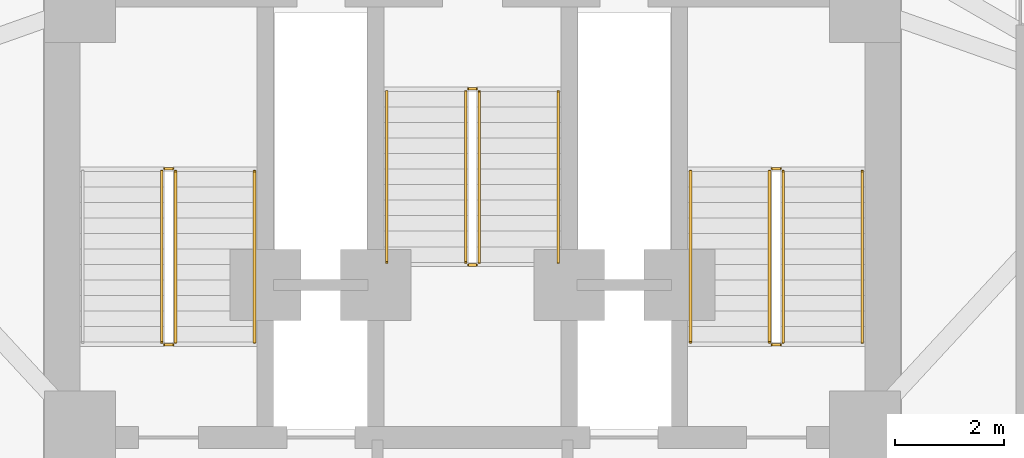
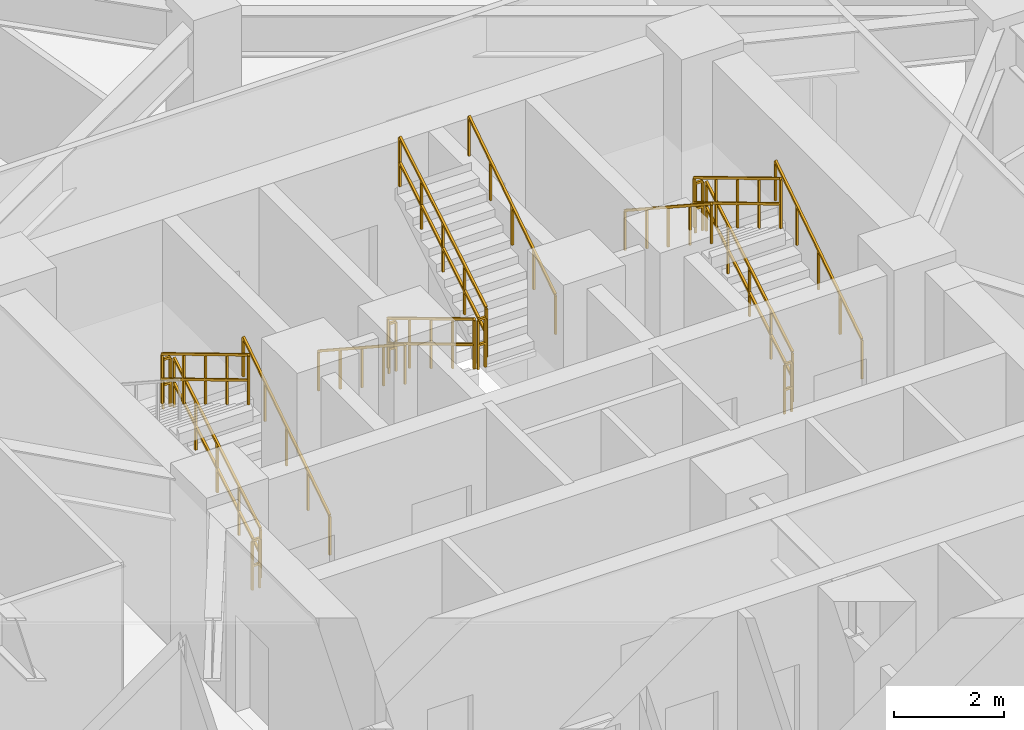
# One storey, part 10 of 10: 17 railings.
"""IFC4 building model written with IfcOpenShell, lengths in metres."""

from ifc_helpers import new_model, si_unit, direction, frame, origin, origin_2d, place, context, subcontext, project, spatial, rectangle, extrude, material, type_object, element, save


model = new_model("IFC4")

# Units and contexts
model_context = context("Model", 3, precision=1e-05, world=origin(), true_north=direction((0.0, 1.0)))
body_context = subcontext(model_context, "Body", "Model", "MODEL_VIEW")
ifc_project = project(units=[si_unit("LENGTHUNIT", "METRE"), si_unit("AREAUNIT", "SQUARE_METRE"), si_unit("VOLUMEUNIT", "CUBIC_METRE"), si_unit("PLANEANGLEUNIT", "RADIAN"), si_unit("MASSUNIT", "GRAM", prefix="KILO")], contexts=[model_context])

# Site, building, storey
site_placement = place(None, origin())
site = spatial("IfcSite", under=ifc_project, at=site_placement, CompositionType="ELEMENT")
building_placement = place(site_placement, origin())
building = spatial("IfcBuilding", under=site, at=building_placement, Name="Apsidion Concourse Tower", CompositionType="ELEMENT")
storey_placement = place(building_placement, frame((0.0, 0.0, 144.5)))
storey = spatial("IfcBuildingStorey", under=building, at=storey_placement, Name="L33", CompositionType="ELEMENT", Elevation=144.5)

# Railings
ifc_material = material(Name="Brushed stainless steel 316", Category="steel")
railing_type_1 = type_object("IfcRailingType", Name="RL-GUARD-1100", PredefinedType="GUARDRAIL", material=ifc_material)
railing_1_placement = place(storey_placement, frame((-5.449951171875, 3.0, 0.1708984375)))
element("IfcRailing", 1, at=railing_1_placement, inside=storey, type_object=railing_type_1, Name="L33 ST1 stair guard 1", PredefinedType="GUARDRAIL", context=body_context, shape_type="SweptSolid", body=[
    extrude(rectangle(XDim=0.048095703125, YDim=0.048095703125, at=origin_2d()), frame((0.0, 0.0, 1.09619140625), z_axis=(0.0, 0.857716804754, 0.514122439544), x_axis=(-1.0, 0.0, 0.0)), (0.0, 0.0, 1.0), 3.655029296875),
    extrude(rectangle(XDim=0.048095703125, YDim=0.048095703125, at=origin_2d()), frame((0.0, 0.0, 0.5361328125), z_axis=(0.0, 0.857716804754, 0.514122439544), x_axis=(-1.0, 0.0, 0.0)), (0.0, 0.0, 1.0), 3.655029296875),
    extrude(rectangle(XDim=0.0419921875, YDim=0.0419921875, at=origin_2d()), origin(), (0.0, 0.0, 1.0), 1.072021484375),
    extrude(rectangle(XDim=0.0419921875, YDim=0.0419921875, at=origin_2d()), frame((0.0, 0.78369140625, 0.4697265625)), (0.0, 0.0, 1.0), 1.072021484375),
    extrude(rectangle(XDim=0.0419921875, YDim=0.0419921875, at=origin_2d()), frame((0.0, 1.5673828125, 0.939453125)), (0.0, 0.0, 1.0), 1.072021484375),
    extrude(rectangle(XDim=0.0419921875, YDim=0.0419921875, at=origin_2d()), frame((0.0, 2.351318359375, 1.409423828125)), (0.0, 0.0, 1.0), 1.072021484375),
    extrude(rectangle(XDim=0.0419921875, YDim=0.0419921875, at=origin_2d()), frame((0.0, 3.135009765625, 1.879150390625)), (0.0, 0.0, 1.0), 1.072021484375),
])
railing_2_placement = place(storey_placement, frame((-5.5, 6.18505859375, 2.050048828125)))
element("IfcRailing", 2, at=railing_2_placement, inside=storey, type_object=railing_type_1, Name="L33 ST1 stair guard 2", PredefinedType="GUARDRAIL", context=body_context, shape_type="SweptSolid", body=[
    extrude(rectangle(XDim=0.048095703125, YDim=0.048095703125, at=origin_2d()), frame((0.0, 0.0, 1.09619140625), z_axis=(-1.0, 0.0, 0.0), x_axis=(0.0, -1.0, 0.0)), (0.0, 0.0, 1.0), 0.14990234375),
    extrude(rectangle(XDim=0.048095703125, YDim=0.048095703125, at=origin_2d()), frame((0.0, 0.0, 0.5361328125), z_axis=(-1.0, 0.0, 0.0), x_axis=(0.0, -1.0, 0.0)), (0.0, 0.0, 1.0), 0.14990234375),
    extrude(rectangle(XDim=0.0419921875, YDim=0.0419921875, at=origin_2d()), origin(), (0.0, 0.0, 1.0), 1.072021484375),
    extrude(rectangle(XDim=0.0419921875, YDim=0.0419921875, at=origin_2d()), frame((-0.14990234375, 0.0, 0.0)), (0.0, 0.0, 1.0), 1.072021484375),
])
railing_3_placement = place(storey_placement, frame((-5.699951171875, 6.135009765625, 2.220947265625)))
element("IfcRailing", 3, at=railing_3_placement, inside=storey, type_object=railing_type_1, Name="L33 ST1 stair guard 3", PredefinedType="GUARDRAIL", context=body_context, shape_type="SweptSolid", body=[
    extrude(rectangle(XDim=0.048095703125, YDim=0.048095703125, at=origin_2d()), frame((0.0, 0.0, 1.09619140625), z_axis=(0.0, -0.857716804754, 0.514122439544), x_axis=(1.0, 0.0, 0.0)), (0.0, 0.0, 1.0), 3.655029296875),
    extrude(rectangle(XDim=0.048095703125, YDim=0.048095703125, at=origin_2d()), frame((0.0, 0.0, 0.5361328125), z_axis=(0.0, -0.857716804754, 0.514122439544), x_axis=(1.0, 0.0, 0.0)), (0.0, 0.0, 1.0), 3.655029296875),
    extrude(rectangle(XDim=0.0419921875, YDim=0.0419921875, at=origin_2d()), origin(), (0.0, 0.0, 1.0), 1.072021484375),
    extrude(rectangle(XDim=0.0419921875, YDim=0.0419921875, at=origin_2d()), frame((0.0, -0.78369140625, 0.4697265625)), (0.0, 0.0, 1.0), 1.072021484375),
    extrude(rectangle(XDim=0.0419921875, YDim=0.0419921875, at=origin_2d()), frame((0.0, -1.5673828125, 0.939453125)), (0.0, 0.0, 1.0), 1.072021484375),
    extrude(rectangle(XDim=0.0419921875, YDim=0.0419921875, at=origin_2d()), frame((0.0, -2.351318359375, 1.409423828125)), (0.0, 0.0, 1.0), 1.072021484375),
    extrude(rectangle(XDim=0.0419921875, YDim=0.0419921875, at=origin_2d()), frame((0.0, -3.135009765625, 1.879150390625)), (0.0, 0.0, 1.0), 1.072021484375),
])
railing_4_placement = place(storey_placement, frame((-5.5, 2.949951171875, 0.0)))
element("IfcRailing", 4, at=railing_4_placement, inside=storey, type_object=railing_type_1, Name="L33 ST1 stair guard 4", PredefinedType="GUARDRAIL", context=body_context, shape_type="SweptSolid", body=[
    extrude(rectangle(XDim=0.048095703125, YDim=0.048095703125, at=origin_2d()), frame((0.0, 0.0, 1.09619140625), z_axis=(-1.0, 0.0, 0.0), x_axis=(0.0, -1.0, 0.0)), (0.0, 0.0, 1.0), 0.14990234375),
    extrude(rectangle(XDim=0.048095703125, YDim=0.048095703125, at=origin_2d()), frame((0.0, 0.0, 0.5361328125), z_axis=(-1.0, 0.0, 0.0), x_axis=(0.0, -1.0, 0.0)), (0.0, 0.0, 1.0), 0.14990234375),
    extrude(rectangle(XDim=0.0419921875, YDim=0.0419921875, at=origin_2d()), origin(), (0.0, 0.0, 1.0), 1.072021484375),
    extrude(rectangle(XDim=0.0419921875, YDim=0.0419921875, at=origin_2d()), frame((-0.14990234375, 0.0, 0.0)), (0.0, 0.0, 1.0), 1.072021484375),
])
railing_5_placement = place(storey_placement, frame((5.699951171875, 3.0, 0.1708984375)))
element("IfcRailing", 5, at=railing_5_placement, inside=storey, type_object=railing_type_1, Name="L33 ST2 stair guard 1", PredefinedType="GUARDRAIL", context=body_context, shape_type="SweptSolid", body=[
    extrude(rectangle(XDim=0.048095703125, YDim=0.048095703125, at=origin_2d()), frame((0.0, 0.0, 1.09619140625), z_axis=(0.0, 0.857716804754, 0.514122439544), x_axis=(-1.0, 0.0, 0.0)), (0.0, 0.0, 1.0), 3.655029296875),
    extrude(rectangle(XDim=0.048095703125, YDim=0.048095703125, at=origin_2d()), frame((0.0, 0.0, 0.5361328125), z_axis=(0.0, 0.857716804754, 0.514122439544), x_axis=(-1.0, 0.0, 0.0)), (0.0, 0.0, 1.0), 3.655029296875),
    extrude(rectangle(XDim=0.0419921875, YDim=0.0419921875, at=origin_2d()), origin(), (0.0, 0.0, 1.0), 1.072021484375),
    extrude(rectangle(XDim=0.0419921875, YDim=0.0419921875, at=origin_2d()), frame((0.0, 0.78369140625, 0.4697265625)), (0.0, 0.0, 1.0), 1.072021484375),
    extrude(rectangle(XDim=0.0419921875, YDim=0.0419921875, at=origin_2d()), frame((0.0, 1.5673828125, 0.939453125)), (0.0, 0.0, 1.0), 1.072021484375),
    extrude(rectangle(XDim=0.0419921875, YDim=0.0419921875, at=origin_2d()), frame((0.0, 2.351318359375, 1.409423828125)), (0.0, 0.0, 1.0), 1.072021484375),
    extrude(rectangle(XDim=0.0419921875, YDim=0.0419921875, at=origin_2d()), frame((0.0, 3.135009765625, 1.879150390625)), (0.0, 0.0, 1.0), 1.072021484375),
])
railing_6_placement = place(storey_placement, frame((5.64990234375, 6.18505859375, 2.050048828125)))
element("IfcRailing", 6, at=railing_6_placement, inside=storey, type_object=railing_type_1, Name="L33 ST2 stair guard 2", PredefinedType="GUARDRAIL", context=body_context, shape_type="SweptSolid", body=[
    extrude(rectangle(XDim=0.048095703125, YDim=0.048095703125, at=origin_2d()), frame((0.0, 0.0, 1.09619140625), z_axis=(-1.0, 0.0, 0.0), x_axis=(0.0, -1.0, 0.0)), (0.0, 0.0, 1.0), 0.14990234375),
    extrude(rectangle(XDim=0.048095703125, YDim=0.048095703125, at=origin_2d()), frame((0.0, 0.0, 0.5361328125), z_axis=(-1.0, 0.0, 0.0), x_axis=(0.0, -1.0, 0.0)), (0.0, 0.0, 1.0), 0.14990234375),
    extrude(rectangle(XDim=0.0419921875, YDim=0.0419921875, at=origin_2d()), origin(), (0.0, 0.0, 1.0), 1.072021484375),
    extrude(rectangle(XDim=0.0419921875, YDim=0.0419921875, at=origin_2d()), frame((-0.14990234375, 0.0, 0.0)), (0.0, 0.0, 1.0), 1.072021484375),
])
railing_7_placement = place(storey_placement, frame((5.449951171875, 6.135009765625, 2.220947265625)))
element("IfcRailing", 7, at=railing_7_placement, inside=storey, type_object=railing_type_1, Name="L33 ST2 stair guard 3", PredefinedType="GUARDRAIL", context=body_context, shape_type="SweptSolid", body=[
    extrude(rectangle(XDim=0.048095703125, YDim=0.048095703125, at=origin_2d()), frame((0.0, 0.0, 1.09619140625), z_axis=(0.0, -0.857716804754, 0.514122439544), x_axis=(1.0, 0.0, 0.0)), (0.0, 0.0, 1.0), 3.655029296875),
    extrude(rectangle(XDim=0.048095703125, YDim=0.048095703125, at=origin_2d()), frame((0.0, 0.0, 0.5361328125), z_axis=(0.0, -0.857716804754, 0.514122439544), x_axis=(1.0, 0.0, 0.0)), (0.0, 0.0, 1.0), 3.655029296875),
    extrude(rectangle(XDim=0.0419921875, YDim=0.0419921875, at=origin_2d()), origin(), (0.0, 0.0, 1.0), 1.072021484375),
    extrude(rectangle(XDim=0.0419921875, YDim=0.0419921875, at=origin_2d()), frame((0.0, -0.78369140625, 0.4697265625)), (0.0, 0.0, 1.0), 1.072021484375),
    extrude(rectangle(XDim=0.0419921875, YDim=0.0419921875, at=origin_2d()), frame((0.0, -1.5673828125, 0.939453125)), (0.0, 0.0, 1.0), 1.072021484375),
    extrude(rectangle(XDim=0.0419921875, YDim=0.0419921875, at=origin_2d()), frame((0.0, -2.351318359375, 1.409423828125)), (0.0, 0.0, 1.0), 1.072021484375),
    extrude(rectangle(XDim=0.0419921875, YDim=0.0419921875, at=origin_2d()), frame((0.0, -3.135009765625, 1.879150390625)), (0.0, 0.0, 1.0), 1.072021484375),
])
railing_8_placement = place(storey_placement, frame((5.64990234375, 2.949951171875, 0.0)))
element("IfcRailing", 8, at=railing_8_placement, inside=storey, type_object=railing_type_1, Name="L33 ST2 stair guard 4", PredefinedType="GUARDRAIL", context=body_context, shape_type="SweptSolid", body=[
    extrude(rectangle(XDim=0.048095703125, YDim=0.048095703125, at=origin_2d()), frame((0.0, 0.0, 1.09619140625), z_axis=(-1.0, 0.0, 0.0), x_axis=(0.0, -1.0, 0.0)), (0.0, 0.0, 1.0), 0.14990234375),
    extrude(rectangle(XDim=0.048095703125, YDim=0.048095703125, at=origin_2d()), frame((0.0, 0.0, 0.5361328125), z_axis=(-1.0, 0.0, 0.0), x_axis=(0.0, -1.0, 0.0)), (0.0, 0.0, 1.0), 0.14990234375),
    extrude(rectangle(XDim=0.0419921875, YDim=0.0419921875, at=origin_2d()), origin(), (0.0, 0.0, 1.0), 1.072021484375),
    extrude(rectangle(XDim=0.0419921875, YDim=0.0419921875, at=origin_2d()), frame((-0.14990234375, 0.0, 0.0)), (0.0, 0.0, 1.0), 1.072021484375),
])
railing_9_placement = place(storey_placement, frame((-0.125, 7.60009765625, 0.1708984375)))
element("IfcRailing", 9, at=railing_9_placement, inside=storey, type_object=railing_type_1, Name="L33 ST3 stair guard 1", PredefinedType="GUARDRAIL", context=body_context, shape_type="SweptSolid", body=[
    extrude(rectangle(XDim=0.048095703125, YDim=0.048095703125, at=origin_2d()), frame((0.0, 0.0, 1.09619140625), z_axis=(0.0, -0.857716804754, 0.514122439544), x_axis=(1.0, 0.0, 0.0)), (0.0, 0.0, 1.0), 3.655029296875),
    extrude(rectangle(XDim=0.048095703125, YDim=0.048095703125, at=origin_2d()), frame((0.0, 0.0, 0.5361328125), z_axis=(0.0, -0.857716804754, 0.514122439544), x_axis=(1.0, 0.0, 0.0)), (0.0, 0.0, 1.0), 3.655029296875),
    extrude(rectangle(XDim=0.0419921875, YDim=0.0419921875, at=origin_2d()), origin(), (0.0, 0.0, 1.0), 1.072021484375),
    extrude(rectangle(XDim=0.0419921875, YDim=0.0419921875, at=origin_2d()), frame((0.0, -0.78369140625, 0.4697265625)), (0.0, 0.0, 1.0), 1.072021484375),
    extrude(rectangle(XDim=0.0419921875, YDim=0.0419921875, at=origin_2d()), frame((0.0, -1.5673828125, 0.939453125)), (0.0, 0.0, 1.0), 1.072021484375),
    extrude(rectangle(XDim=0.0419921875, YDim=0.0419921875, at=origin_2d()), frame((0.0, -2.351318359375, 1.409423828125)), (0.0, 0.0, 1.0), 1.072021484375),
    extrude(rectangle(XDim=0.0419921875, YDim=0.0419921875, at=origin_2d()), frame((0.0, -3.135009765625, 1.879150390625)), (0.0, 0.0, 1.0), 1.072021484375),
])
railing_10_placement = place(storey_placement, frame((-0.074951171875, 4.4150390625, 2.050048828125)))
element("IfcRailing", 10, at=railing_10_placement, inside=storey, type_object=railing_type_1, Name="L33 ST3 stair guard 2", PredefinedType="GUARDRAIL", context=body_context, shape_type="SweptSolid", body=[
    extrude(rectangle(XDim=0.048095703125, YDim=0.048095703125, at=origin_2d()), frame((0.0, 0.0, 1.09619140625), z_axis=(1.0, 0.0, 0.0), x_axis=(0.0, 1.0, 0.0)), (0.0, 0.0, 1.0), 0.14990234375),
    extrude(rectangle(XDim=0.048095703125, YDim=0.048095703125, at=origin_2d()), frame((0.0, 0.0, 0.5361328125), z_axis=(1.0, 0.0, 0.0), x_axis=(0.0, 1.0, 0.0)), (0.0, 0.0, 1.0), 0.14990234375),
    extrude(rectangle(XDim=0.0419921875, YDim=0.0419921875, at=origin_2d()), origin(), (0.0, 0.0, 1.0), 1.072021484375),
    extrude(rectangle(XDim=0.0419921875, YDim=0.0419921875, at=origin_2d()), frame((0.14990234375, 0.0, 0.0)), (0.0, 0.0, 1.0), 1.072021484375),
])
railing_11_placement = place(storey_placement, frame((0.125, 4.465087890625, 2.220947265625)))
element("IfcRailing", 11, at=railing_11_placement, inside=storey, type_object=railing_type_1, Name="L33 ST3 stair guard 3", PredefinedType="GUARDRAIL", context=body_context, shape_type="SweptSolid", body=[
    extrude(rectangle(XDim=0.048095703125, YDim=0.048095703125, at=origin_2d()), frame((0.0, 0.0, 1.09619140625), z_axis=(0.0, 0.857716804754, 0.514122439544), x_axis=(-1.0, 0.0, 0.0)), (0.0, 0.0, 1.0), 3.655029296875),
    extrude(rectangle(XDim=0.048095703125, YDim=0.048095703125, at=origin_2d()), frame((0.0, 0.0, 0.5361328125), z_axis=(0.0, 0.857716804754, 0.514122439544), x_axis=(-1.0, 0.0, 0.0)), (0.0, 0.0, 1.0), 3.655029296875),
    extrude(rectangle(XDim=0.0419921875, YDim=0.0419921875, at=origin_2d()), origin(), (0.0, 0.0, 1.0), 1.072021484375),
    extrude(rectangle(XDim=0.0419921875, YDim=0.0419921875, at=origin_2d()), frame((0.0, 0.78369140625, 0.4697265625)), (0.0, 0.0, 1.0), 1.072021484375),
    extrude(rectangle(XDim=0.0419921875, YDim=0.0419921875, at=origin_2d()), frame((0.0, 1.5673828125, 0.939453125)), (0.0, 0.0, 1.0), 1.072021484375),
    extrude(rectangle(XDim=0.0419921875, YDim=0.0419921875, at=origin_2d()), frame((0.0, 2.351318359375, 1.409423828125)), (0.0, 0.0, 1.0), 1.072021484375),
    extrude(rectangle(XDim=0.0419921875, YDim=0.0419921875, at=origin_2d()), frame((0.0, 3.135009765625, 1.879150390625)), (0.0, 0.0, 1.0), 1.072021484375),
])
railing_12_placement = place(storey_placement, frame((-0.074951171875, 7.64990234375, 0.0)))
element("IfcRailing", 12, at=railing_12_placement, inside=storey, type_object=railing_type_1, Name="L33 ST3 stair guard 4", PredefinedType="GUARDRAIL", context=body_context, shape_type="SweptSolid", body=[
    extrude(rectangle(XDim=0.048095703125, YDim=0.048095703125, at=origin_2d()), frame((0.0, 0.0, 1.09619140625), z_axis=(1.0, 0.0, 0.0), x_axis=(0.0, 1.0, 0.0)), (0.0, 0.0, 1.0), 0.14990234375),
    extrude(rectangle(XDim=0.048095703125, YDim=0.048095703125, at=origin_2d()), frame((0.0, 0.0, 0.5361328125), z_axis=(1.0, 0.0, 0.0), x_axis=(0.0, 1.0, 0.0)), (0.0, 0.0, 1.0), 0.14990234375),
    extrude(rectangle(XDim=0.0419921875, YDim=0.0419921875, at=origin_2d()), origin(), (0.0, 0.0, 1.0), 1.072021484375),
    extrude(rectangle(XDim=0.0419921875, YDim=0.0419921875, at=origin_2d()), frame((0.14990234375, 0.0, 0.0)), (0.0, 0.0, 1.0), 1.072021484375),
])
railing_type_2 = type_object("IfcRailingType", Name="RL-HAND-900", PredefinedType="HANDRAIL", material=ifc_material)
for number, where, name in (
    (13, (-4.0, 3.0, 0.1708984375), "L33 ST1 stair handrail 1"),
    (14, (7.14990234375, 3.0, 0.1708984375), "L33 ST2 stair handrail 1"),
):
    element("IfcRailing", number, at=place(storey_placement, frame(where)), inside=storey, type_object=railing_type_2, Name=name, PredefinedType="HANDRAIL", context=body_context, shape_type="SweptSolid", body=[
        extrude(rectangle(XDim=0.048095703125, YDim=0.048095703125, at=origin_2d()), frame((0.0, 0.0, 0.8759765625), z_axis=(0.0, 0.836940907821, 0.547293263996), x_axis=(-1.0, 0.0, 0.0)), (0.0, 0.0, 1.0), 3.745849609375),
        extrude(rectangle(XDim=0.0419921875, YDim=0.0419921875, at=origin_2d()), origin(), (0.0, 0.0, 1.0), 0.851806640625),
        extrude(rectangle(XDim=0.0419921875, YDim=0.0419921875, at=origin_2d()), frame((0.0, 0.78369140625, 0.512451171875)), (0.0, 0.0, 1.0), 0.851806640625),
        extrude(rectangle(XDim=0.0419921875, YDim=0.0419921875, at=origin_2d()), frame((0.0, 1.5673828125, 1.02490234375)), (0.0, 0.0, 1.0), 0.851806640625),
        extrude(rectangle(XDim=0.0419921875, YDim=0.0419921875, at=origin_2d()), frame((0.0, 2.351318359375, 1.53759765625)), (0.0, 0.0, 1.0), 0.851806640625),
        extrude(rectangle(XDim=0.0419921875, YDim=0.0419921875, at=origin_2d()), frame((0.0, 3.135009765625, 2.050048828125)), (0.0, 0.0, 1.0), 0.851806640625),
    ])
railing_13_placement = place(storey_placement, frame((4.0, 6.135009765625, 2.220947265625)))
element("IfcRailing", 15, at=railing_13_placement, inside=storey, type_object=railing_type_2, Name="L33 ST2 stair handrail 2", PredefinedType="HANDRAIL", context=body_context, shape_type="SweptSolid", body=[
    extrude(rectangle(XDim=0.048095703125, YDim=0.048095703125, at=origin_2d()), frame((0.0, 0.0, 0.8759765625), z_axis=(0.0, -0.836970762213, 0.547247606848), x_axis=(1.0, 0.0, 0.0)), (0.0, 0.0, 1.0), 3.74560546875),
    extrude(rectangle(XDim=0.0419921875, YDim=0.0419921875, at=origin_2d()), origin(), (0.0, 0.0, 1.0), 0.851806640625),
    extrude(rectangle(XDim=0.0419921875, YDim=0.0419921875, at=origin_2d()), frame((0.0, -0.78369140625, 0.512451171875)), (0.0, 0.0, 1.0), 0.851806640625),
    extrude(rectangle(XDim=0.0419921875, YDim=0.0419921875, at=origin_2d()), frame((0.0, -1.5673828125, 1.02490234375)), (0.0, 0.0, 1.0), 0.851806640625),
    extrude(rectangle(XDim=0.0419921875, YDim=0.0419921875, at=origin_2d()), frame((0.0, -2.351318359375, 1.537353515625)), (0.0, 0.0, 1.0), 0.851806640625),
    extrude(rectangle(XDim=0.0419921875, YDim=0.0419921875, at=origin_2d()), frame((0.0, -3.135009765625, 2.0498046875)), (0.0, 0.0, 1.0), 0.851806640625),
])
railing_14_placement = place(storey_placement, frame((-1.574951171875, 7.60009765625, 0.1708984375)))
element("IfcRailing", 16, at=railing_14_placement, inside=storey, type_object=railing_type_2, Name="L33 ST3 stair handrail 1", PredefinedType="HANDRAIL", context=body_context, shape_type="SweptSolid", body=[
    extrude(rectangle(XDim=0.048095703125, YDim=0.048095703125, at=origin_2d()), frame((0.0, 0.0, 0.8759765625), z_axis=(0.0, -0.836940907821, 0.547293263996), x_axis=(1.0, 0.0, 0.0)), (0.0, 0.0, 1.0), 3.745849609375),
    extrude(rectangle(XDim=0.0419921875, YDim=0.0419921875, at=origin_2d()), origin(), (0.0, 0.0, 1.0), 0.851806640625),
    extrude(rectangle(XDim=0.0419921875, YDim=0.0419921875, at=origin_2d()), frame((0.0, -0.78369140625, 0.512451171875)), (0.0, 0.0, 1.0), 0.851806640625),
    extrude(rectangle(XDim=0.0419921875, YDim=0.0419921875, at=origin_2d()), frame((0.0, -1.5673828125, 1.02490234375)), (0.0, 0.0, 1.0), 0.851806640625),
    extrude(rectangle(XDim=0.0419921875, YDim=0.0419921875, at=origin_2d()), frame((0.0, -2.351318359375, 1.53759765625)), (0.0, 0.0, 1.0), 0.851806640625),
    extrude(rectangle(XDim=0.0419921875, YDim=0.0419921875, at=origin_2d()), frame((0.0, -3.135009765625, 2.050048828125)), (0.0, 0.0, 1.0), 0.851806640625),
])
railing_15_placement = place(storey_placement, frame((1.574951171875, 4.465087890625, 2.220947265625)))
element("IfcRailing", 17, at=railing_15_placement, inside=storey, type_object=railing_type_2, Name="L33 ST3 stair handrail 2", PredefinedType="HANDRAIL", context=body_context, shape_type="SweptSolid", body=[
    extrude(rectangle(XDim=0.048095703125, YDim=0.048095703125, at=origin_2d()), frame((0.0, 0.0, 0.8759765625), z_axis=(0.0, 0.836970762213, 0.547247606848), x_axis=(-1.0, 0.0, 0.0)), (0.0, 0.0, 1.0), 3.74560546875),
    extrude(rectangle(XDim=0.0419921875, YDim=0.0419921875, at=origin_2d()), origin(), (0.0, 0.0, 1.0), 0.851806640625),
    extrude(rectangle(XDim=0.0419921875, YDim=0.0419921875, at=origin_2d()), frame((0.0, 0.78369140625, 0.512451171875)), (0.0, 0.0, 1.0), 0.851806640625),
    extrude(rectangle(XDim=0.0419921875, YDim=0.0419921875, at=origin_2d()), frame((0.0, 1.5673828125, 1.02490234375)), (0.0, 0.0, 1.0), 0.851806640625),
    extrude(rectangle(XDim=0.0419921875, YDim=0.0419921875, at=origin_2d()), frame((0.0, 2.351318359375, 1.537353515625)), (0.0, 0.0, 1.0), 0.851806640625),
    extrude(rectangle(XDim=0.0419921875, YDim=0.0419921875, at=origin_2d()), frame((0.0, 3.135009765625, 2.0498046875)), (0.0, 0.0, 1.0), 0.851806640625),
])

save(model, "model.ifc")
